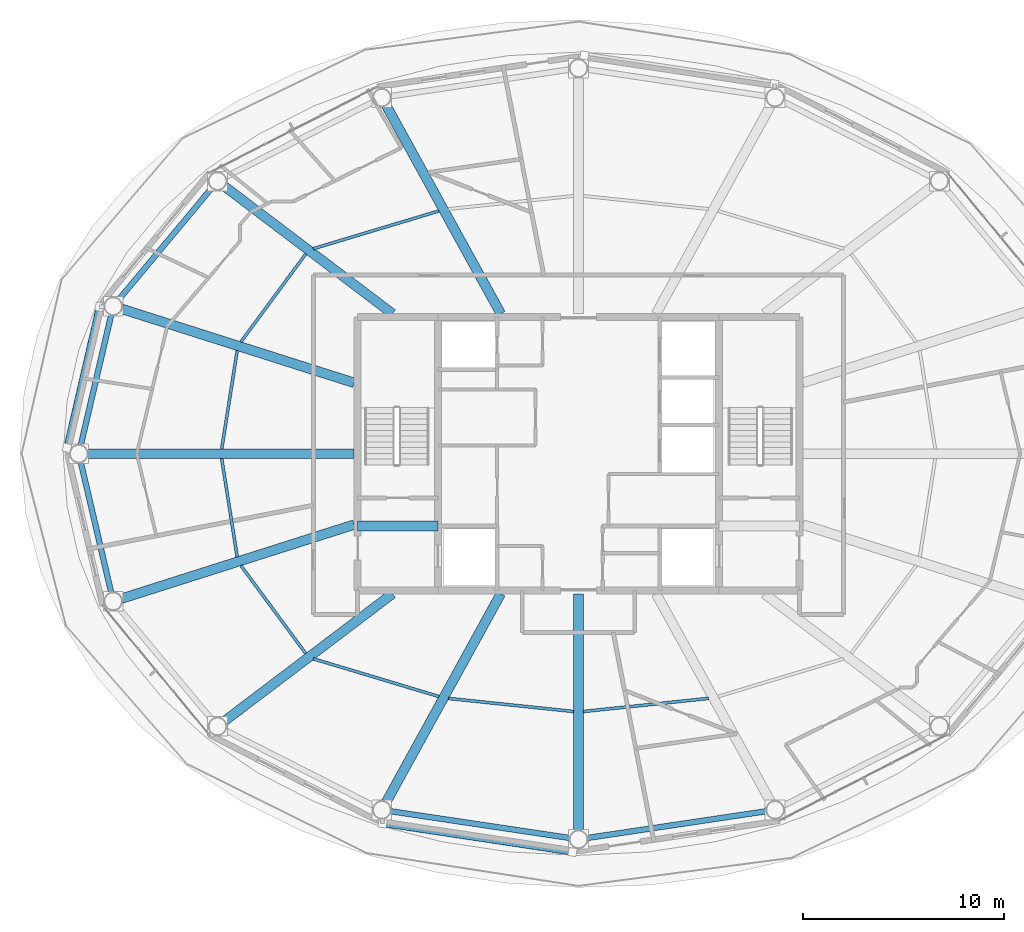
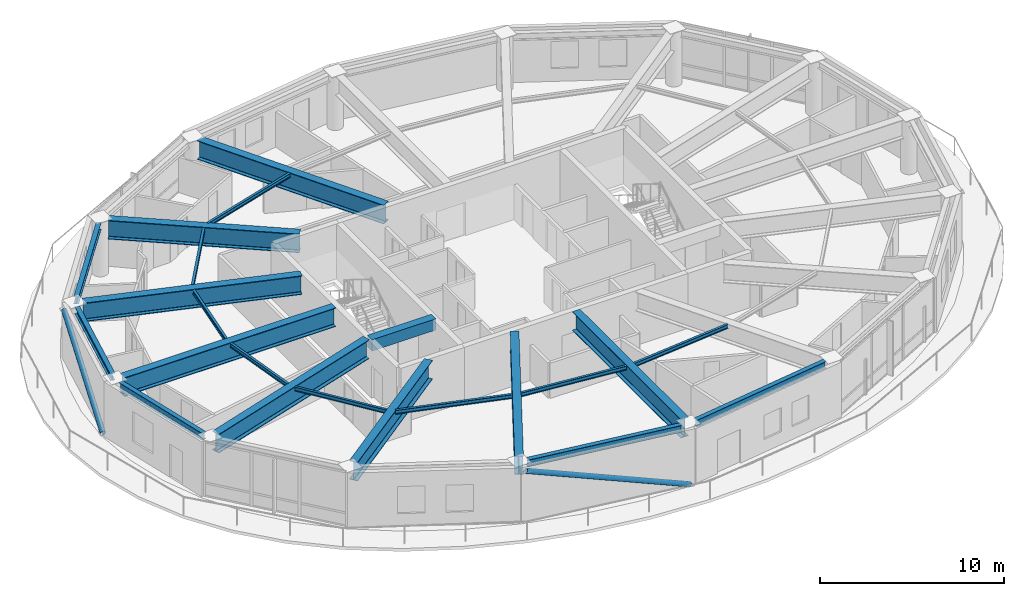
# One storey, part 4 of 24: 22 beams, 2 members.
"""IFC4 building model written with IfcOpenShell, lengths in metres."""

from ifc_helpers import new_model, si_unit, direction, frame, origin, origin_2d, place, context, subcontext, project, spatial, rectangle, hollow_circle, i_section, extrude, material, material_profile, profile_set, type_object, element, save


model = new_model("IFC4")

# Units and contexts
model_context = context("Model", 3, precision=1e-05, world=origin(), true_north=direction((0.0, 1.0)))
body_context = subcontext(model_context, "Body", "Model", "MODEL_VIEW")
ifc_project = project(units=[si_unit("LENGTHUNIT", "METRE"), si_unit("AREAUNIT", "SQUARE_METRE"), si_unit("VOLUMEUNIT", "CUBIC_METRE"), si_unit("PLANEANGLEUNIT", "RADIAN"), si_unit("MASSUNIT", "GRAM", prefix="KILO")], contexts=[model_context])

# Site, building, storey
site_placement = place(None, origin())
site = spatial("IfcSite", under=ifc_project, at=site_placement, CompositionType="ELEMENT")
building_placement = place(site_placement, origin())
building = spatial("IfcBuilding", under=site, at=building_placement, Name="Sarneth Arch Tower", CompositionType="ELEMENT")
storey_placement = place(building_placement, frame((0.0, 0.0, 312.60009765625)))
storey = spatial("IfcBuildingStorey", under=building, at=storey_placement, Name="L81", CompositionType="ELEMENT", Elevation=312.60009765625)

# Beams
ifc_material_1 = material(Name="Steel S355", Category="steel")
ifc_material_profile_1 = material_profile(ifc_material_1, i_section(OverallWidth=0.14794921875, OverallDepth=0.26611328125, WebThickness=0.007568359375, FlangeThickness=0.012939453125, FilletRadius=0.012939453125, at=origin_2d()), Name="W250x44.8")
ifc_profile_set_1 = profile_set([ifc_material_profile_1], Name="Steel S355")
beam_type_1 = type_object("IfcBeamType", Name="BM-JOIST-250", PredefinedType="JOIST", material=ifc_profile_set_1)
beam_1_placement = place(storey_placement, frame((41.048828125, 54.090576171875, 3.5068359375), z_axis=(-0.957656467792, -0.287913337128, 0.0), x_axis=(0.287913337128, -0.957656467792, 0.0)))
element("IfcBeam", 1, at=beam_1_placement, inside=storey, type_object=beam_type_1, Name="L81 Secondary floor joist 06", PredefinedType="JOIST", context=body_context, shape_type="SweptSolid", body=[
    extrude(i_section(OverallWidth=0.14794921875, OverallDepth=0.26611328125, WebThickness=0.007568359375, FlangeThickness=0.012939453125, FilletRadius=0.012939453125, at=origin_2d()), origin(), (0.0, 0.0, 1.0), 6.53515625),
])
beam_2_placement = place(storey_placement, frame((34.41796875, 51.94677734375, 3.5068359375), z_axis=(-0.593676077311, -0.804704116573, 0.0), x_axis=(0.804704116573, -0.593676077311, 0.0)))
element("IfcBeam", 2, at=beam_2_placement, inside=storey, type_object=beam_type_1, Name="L81 Secondary floor joist 07", PredefinedType="JOIST", context=body_context, shape_type="SweptSolid", body=[
    extrude(i_section(OverallWidth=0.14794921875, OverallDepth=0.26611328125, WebThickness=0.007568359375, FlangeThickness=0.012939453125, FilletRadius=0.012939453125, at=origin_2d()), origin(), (0.0, 0.0, 1.0), 5.445556640625),
])
for number, where, z_axis, x_axis, name in (
    (3, (31.005126953125, 47.134521484375, 3.5068359375), (-0.15570464416, -0.987803656496, 0.0), (0.987803656496, -0.15570464416, 0.0), "L81 Secondary floor joist 08"),
    (4, (30.233154296875, 41.762939453125, 3.5068359375), (0.15570464416, -0.987803656496, 0.0), (0.987803656496, 0.15570464416, 0.0), "L81 Secondary floor joist 09"),
):
    element("IfcBeam", number, at=place(storey_placement, frame(where, z_axis=z_axis, x_axis=x_axis)), inside=storey, type_object=beam_type_1, Name=name, PredefinedType="JOIST", context=body_context, shape_type="SweptSolid", body=[
        extrude(i_section(OverallWidth=0.14794921875, OverallDepth=0.26611328125, WebThickness=0.007568359375, FlangeThickness=0.012939453125, FilletRadius=0.012939453125, at=origin_2d()), origin(), (0.0, 0.0, 1.0), 4.9580078125),
    ])
beam_3_placement = place(storey_placement, frame((31.18505859375, 36.435302734375, 3.5068359375), z_axis=(0.593676077311, -0.804704116573, 0.0), x_axis=(0.804704116573, 0.593676077311, 0.0)))
element("IfcBeam", 5, at=beam_3_placement, inside=storey, type_object=beam_type_1, Name="L81 Secondary floor joist 10", PredefinedType="JOIST", context=body_context, shape_type="SweptSolid", body=[
    extrude(i_section(OverallWidth=0.14794921875, OverallDepth=0.26611328125, WebThickness=0.007568359375, FlangeThickness=0.012939453125, FilletRadius=0.012939453125, at=origin_2d()), origin(), (0.0, 0.0, 1.0), 5.445556640625),
])
beam_4_placement = place(storey_placement, frame((34.790283203125, 31.791015625, 3.5068359375), z_axis=(0.957656467792, -0.287913337128, 0.0), x_axis=(0.287913337128, 0.957656467792, 0.0)))
element("IfcBeam", 6, at=beam_4_placement, inside=storey, type_object=beam_type_1, Name="L81 Secondary floor joist 11", PredefinedType="JOIST", context=body_context, shape_type="SweptSolid", body=[
    extrude(i_section(OverallWidth=0.14794921875, OverallDepth=0.26611328125, WebThickness=0.007568359375, FlangeThickness=0.012939453125, FilletRadius=0.012939453125, at=origin_2d()), origin(), (0.0, 0.0, 1.0), 6.53515625),
])
for number, where, z_axis, x_axis, name in (
    (7, (41.517333984375, 29.8154296875, 3.5068359375), (0.994574488873, -0.104026852697, 0.0), (0.104026852697, 0.994574488873, 0.0), "L81 Secondary floor joist 12"),
    (8, (48.23876953125, 29.162353515625, 3.5068359375), (0.994574488873, 0.104026852697, 0.0), (-0.104026852697, 0.994574488873, 0.0), "L81 Secondary floor joist 13"),
):
    element("IfcBeam", number, at=place(storey_placement, frame(where, z_axis=z_axis, x_axis=x_axis)), inside=storey, type_object=beam_type_1, Name=name, PredefinedType="JOIST", context=body_context, shape_type="SweptSolid", body=[
        extrude(i_section(OverallWidth=0.14794921875, OverallDepth=0.26611328125, WebThickness=0.007568359375, FlangeThickness=0.012939453125, FilletRadius=0.012939453125, at=origin_2d()), origin(), (0.0, 0.0, 1.0), 6.278076171875),
    ])
ifc_material_2 = material(Name="Concrete C50/60", Category="concrete")
ifc_material_profile_2 = material_profile(ifc_material_2, rectangle(XDim=0.5, YDim=0.75, at=origin_2d()), Name="RC-500x750")
ifc_profile_set_2 = profile_set([ifc_material_profile_2], Name="Concrete C50/60")
beam_type_2 = type_object("IfcBeamType", Name="BM-LINTEL-RC", PredefinedType="LINTEL", material=ifc_profile_set_2)
beam_5_placement = place(storey_placement, frame((37.0, 38.39990234375, 3.264892578125), z_axis=(1.0, 0.0, 0.0), x_axis=(0.0, 1.0, 0.0)))
element("IfcBeam", 9, at=beam_5_placement, inside=storey, type_object=beam_type_2, Name="L81 Core coupling lintel W", PredefinedType="LINTEL", context=body_context, shape_type="SweptSolid", body=[
    extrude(rectangle(XDim=0.5, YDim=0.75, at=origin_2d()), origin(), (0.0, 0.0, 1.0), 4.0),
])
ifc_material_3 = material(Name="Steel S355", Category="steel")
ifc_material_profile_3 = material_profile(ifc_material_3, i_section(OverallWidth=0.280029296875, OverallDepth=0.462890625, WebThickness=0.0107421875, FlangeThickness=0.017333984375, FilletRadius=0.01806640625, at=origin_2d()), Name="W460x113")
ifc_profile_set_3 = profile_set([ifc_material_profile_3], Name="Steel S355")
beam_type_3 = type_object("IfcBeamType", Name="BM-RAD-460A", PredefinedType="BEAM", material=ifc_profile_set_3)
beam_6_placement = place(storey_placement, frame((29.736572265625, 55.230712890625, 3.408447265625), z_axis=(-0.640390876881, -0.768049168222, 0.0), x_axis=(0.768049168222, -0.640390876881, 0.0)))
element("IfcBeam", 10, at=beam_6_placement, inside=storey, type_object=beam_type_3, Name="L81 Perimeter spandrel beam 07", PredefinedType="BEAM", context=body_context, shape_type="SweptSolid", body=[
    extrude(i_section(OverallWidth=0.280029296875, OverallDepth=0.462890625, WebThickness=0.0107421875, FlangeThickness=0.017333984375, FilletRadius=0.01806640625, at=origin_2d()), origin(), (0.0, 0.0, 1.0), 7.2099609375),
])
for number, where, z_axis, x_axis, name in (
    (11, (24.72900390625, 48.9091796875, 3.408447265625), (-0.227247037844, -0.973837144389, 0.0), (0.973837144389, -0.227247037844, 0.0), "L81 Perimeter spandrel beam 08"),
    (12, (23.218994140625, 41.561767578125, 3.408447265625), (0.227247037844, -0.973837144389, 0.0), (0.973837144389, 0.227247037844, 0.0), "L81 Perimeter spandrel beam 09"),
):
    element("IfcBeam", number, at=place(storey_placement, frame(where, z_axis=z_axis, x_axis=x_axis)), inside=storey, type_object=beam_type_3, Name=name, PredefinedType="BEAM", context=body_context, shape_type="SweptSolid", body=[
        extrude(i_section(OverallWidth=0.280029296875, OverallDepth=0.462890625, WebThickness=0.0107421875, FlangeThickness=0.017333984375, FilletRadius=0.01806640625, at=origin_2d()), origin(), (0.0, 0.0, 1.0), 6.644775390625),
    ])
for number, where, z_axis, x_axis, name in (
    (13, (38.654296875, 24.195068359375, 3.408447265625), (0.989041765772, -0.147635990052, 0.0), (0.147635990052, 0.989041765772, 0.0), "L81 Perimeter spandrel beam 12"),
    (14, (48.445068359375, 22.866455078125, 3.408447265625), (0.989041765772, 0.147635990052, 0.0), (-0.147635990052, 0.989041765772, 0.0), "L81 Perimeter spandrel beam 13"),
):
    element("IfcBeam", number, at=place(storey_placement, frame(where, z_axis=z_axis, x_axis=x_axis)), inside=storey, type_object=beam_type_3, Name=name, PredefinedType="BEAM", context=body_context, shape_type="SweptSolid", body=[
        extrude(i_section(OverallWidth=0.280029296875, OverallDepth=0.462890625, WebThickness=0.0107421875, FlangeThickness=0.017333984375, FilletRadius=0.01806640625, at=origin_2d()), origin(), (0.0, 0.0, 1.0), 8.999267578125),
    ])
ifc_material_4 = material(Name="Steel S355", Category="steel")
ifc_material_profile_4 = material_profile(ifc_material_4, i_section(OverallWidth=0.47998046875, OverallDepth=1.25, WebThickness=0.02001953125, FlangeThickness=0.0380859375, FilletRadius=0.02197265625, at=origin_2d()), Name="CVS1250x520")
ifc_profile_set_4 = profile_set([ifc_material_profile_4], Name="Steel S355")
beam_type_4 = type_object("IfcBeamType", Name="BM-XFER-1250", PredefinedType="BEAM", material=ifc_profile_set_4)
beam_7_placement = place(storey_placement, frame((44.13134765625, 48.97509765625, 3.014892578125), z_axis=(-0.482067616506, 0.8761340155, 0.0), x_axis=(-0.8761340155, -0.482067616506, 0.0)))
element("IfcBeam", 15, at=beam_7_placement, inside=storey, type_object=beam_type_4, Name="L81 Step-taper transfer girder 06", PredefinedType="BEAM", context=body_context, shape_type="SweptSolid", body=[
    extrude(i_section(OverallWidth=0.47998046875, OverallDepth=1.25, WebThickness=0.02001953125, FlangeThickness=0.0380859375, FilletRadius=0.02197265625, at=origin_2d()), origin(), (0.0, 0.0, 1.0), 11.835205078125),
])
beam_8_placement = place(storey_placement, frame((38.737548828125, 48.97509765625, 3.014892578125), z_axis=(-0.797055453375, 0.603906122047, 0.0), x_axis=(-0.603906122047, -0.797055453375, 0.0)))
element("IfcBeam", 16, at=beam_8_placement, inside=storey, type_object=beam_type_4, Name="L81 Step-taper transfer girder 07", PredefinedType="BEAM", context=body_context, shape_type="SweptSolid", body=[
    extrude(i_section(OverallWidth=0.47998046875, OverallDepth=1.25, WebThickness=0.02001953125, FlangeThickness=0.0380859375, FilletRadius=0.02197265625, at=origin_2d()), origin(), (0.0, 0.0, 1.0), 10.481201171875),
])
beam_9_placement = place(storey_placement, frame((36.824951171875, 45.53173828125, 3.014892578125), z_axis=(-0.95293317728, 0.303180407743, 0.0), x_axis=(-0.303180407743, -0.95293317728, 0.0)))
element("IfcBeam", 17, at=beam_9_placement, inside=storey, type_object=beam_type_4, Name="L81 Step-taper transfer girder 08", PredefinedType="BEAM", context=body_context, shape_type="SweptSolid", body=[
    extrude(i_section(OverallWidth=0.47998046875, OverallDepth=1.25, WebThickness=0.02001953125, FlangeThickness=0.0380859375, FilletRadius=0.02197265625, at=origin_2d()), origin(), (0.0, 0.0, 1.0), 12.13623046875),
])
beam_10_placement = place(storey_placement, frame((36.824951171875, 42.0, 3.014892578125), z_axis=(-1.0, 0.0, 0.0), x_axis=(0.0, -1.0, 0.0)))
element("IfcBeam", 18, at=beam_10_placement, inside=storey, type_object=beam_type_4, Name="L81 Step-taper transfer girder 09", PredefinedType="BEAM", context=body_context, shape_type="SweptSolid", body=[
    extrude(i_section(OverallWidth=0.47998046875, OverallDepth=1.25, WebThickness=0.02001953125, FlangeThickness=0.0380859375, FilletRadius=0.02197265625, at=origin_2d()), origin(), (0.0, 0.0, 1.0), 13.258056640625),
])
beam_11_placement = place(storey_placement, frame((36.824951171875, 38.46826171875, 3.014892578125), z_axis=(-0.95293317728, -0.303180407743, 0.0), x_axis=(0.303180407743, -0.95293317728, 0.0)))
element("IfcBeam", 19, at=beam_11_placement, inside=storey, type_object=beam_type_4, Name="L81 Step-taper transfer girder 10", PredefinedType="BEAM", context=body_context, shape_type="SweptSolid", body=[
    extrude(i_section(OverallWidth=0.47998046875, OverallDepth=1.25, WebThickness=0.02001953125, FlangeThickness=0.0380859375, FilletRadius=0.02197265625, at=origin_2d()), origin(), (0.0, 0.0, 1.0), 12.13623046875),
])
beam_12_placement = place(storey_placement, frame((38.737548828125, 35.02490234375, 3.014892578125), z_axis=(-0.797055453375, -0.603906122047, 0.0), x_axis=(0.603906122047, -0.797055453375, 0.0)))
element("IfcBeam", 20, at=beam_12_placement, inside=storey, type_object=beam_type_4, Name="L81 Step-taper transfer girder 11", PredefinedType="BEAM", context=body_context, shape_type="SweptSolid", body=[
    extrude(i_section(OverallWidth=0.47998046875, OverallDepth=1.25, WebThickness=0.02001953125, FlangeThickness=0.0380859375, FilletRadius=0.02197265625, at=origin_2d()), origin(), (0.0, 0.0, 1.0), 10.481201171875),
])
beam_13_placement = place(storey_placement, frame((44.13134765625, 35.02490234375, 3.014892578125), z_axis=(-0.482067616506, -0.8761340155, 0.0), x_axis=(0.8761340155, -0.482067616506, 0.0)))
element("IfcBeam", 21, at=beam_13_placement, inside=storey, type_object=beam_type_4, Name="L81 Step-taper transfer girder 12", PredefinedType="BEAM", context=body_context, shape_type="SweptSolid", body=[
    extrude(i_section(OverallWidth=0.47998046875, OverallDepth=1.25, WebThickness=0.02001953125, FlangeThickness=0.0380859375, FilletRadius=0.02197265625, at=origin_2d()), origin(), (0.0, 0.0, 1.0), 11.835205078125),
])
beam_14_placement = place(storey_placement, frame((48.0, 35.02490234375, 3.014892578125), z_axis=(0.0, -1.0, 0.0), x_axis=(1.0, 0.0, 0.0)))
element("IfcBeam", 22, at=beam_14_placement, inside=storey, type_object=beam_type_4, Name="L81 Step-taper transfer girder 13", PredefinedType="BEAM", context=body_context, shape_type="SweptSolid", body=[
    extrude(i_section(OverallWidth=0.47998046875, OverallDepth=1.25, WebThickness=0.02001953125, FlangeThickness=0.0380859375, FilletRadius=0.02197265625, at=origin_2d()), origin(), (0.0, 0.0, 1.0), 11.77490234375),
])

# Members
ifc_material_5 = material(Name="Steel S355", Category="steel")
ifc_material_profile_5 = material_profile(ifc_material_5, hollow_circle(Radius=0.162109375, WallThickness=0.012451171875, at=origin_2d()), Name="CHS324x12.5")
ifc_profile_set_5 = profile_set([ifc_material_profile_5], Name="Steel S355")
member_type = type_object("IfcMemberType", Name="MEM-DIAG-BR3", PredefinedType="BRACE", material=ifc_profile_set_5)
member_1_placement = place(storey_placement, frame((22.5234375, 42.292236328125, 0.02001953125), z_axis=(0.204482137567, 0.88389746828, 0.420609463736), x_axis=(-0.974268900284, 0.225388797281, 0.0)))
element("IfcMember", 23, at=member_1_placement, inside=storey, type_object=member_type, Name="L81 Perimeter frame diagonal 08", PredefinedType="BRACE", context=body_context, shape_type="SweptSolid", body=[
    extrude(hollow_circle(Radius=0.162109375, WallThickness=0.012451171875, at=origin_2d()), origin(), (0.0, 0.0, 1.0), 7.94580078125),
])
member_2_placement = place(storey_placement, frame((47.703369140625, 22.16455078125, 0.02001953125), z_axis=(-0.933501273431, 0.140562572356, 0.329875030513), x_axis=(-0.148897148305, -0.988852688335, 0.0)))
element("IfcMember", 24, at=member_2_placement, inside=storey, type_object=member_type, Name="L81 Perimeter frame diagonal 12", PredefinedType="BRACE", context=body_context, shape_type="SweptSolid", body=[
    extrude(hollow_circle(Radius=0.162109375, WallThickness=0.012451171875, at=origin_2d()), origin(), (0.0, 0.0, 1.0), 10.13134765625),
])

save(model, "model.ifc")
